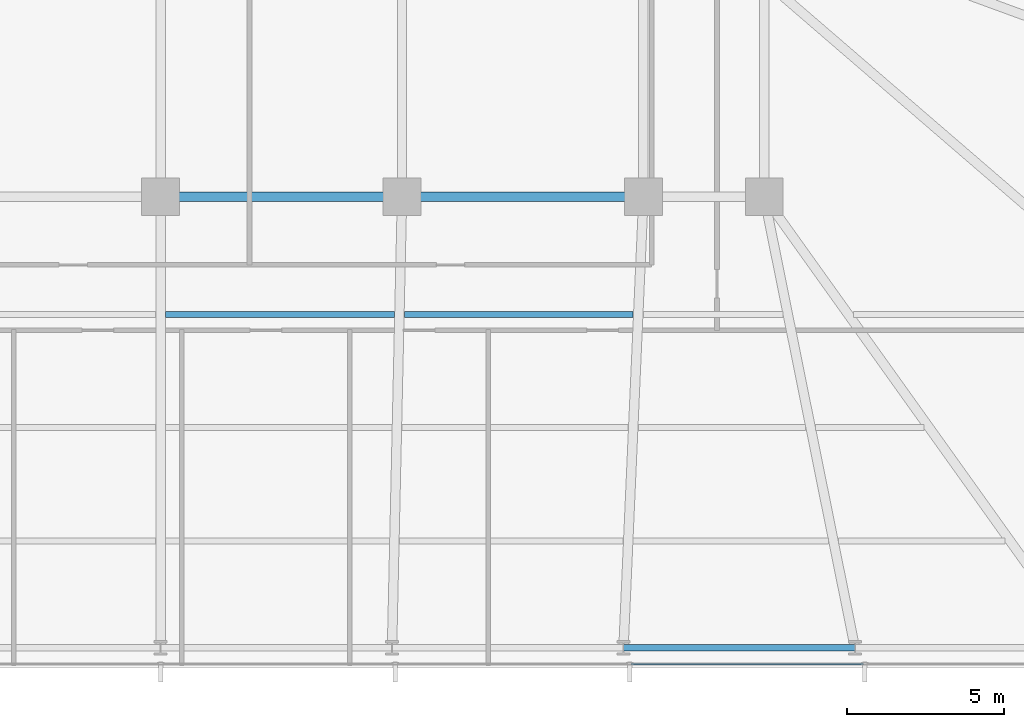
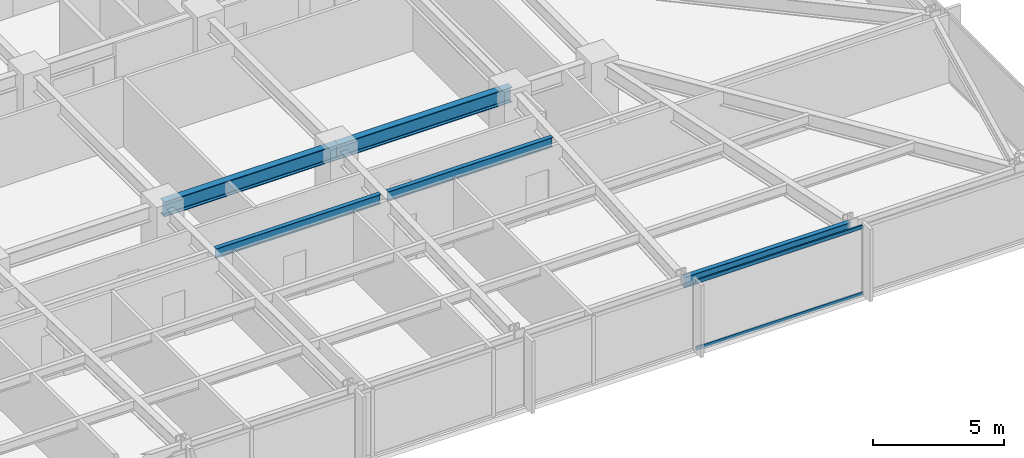
# One storey, part 13 of 32: 5 beams, 2 members, 1 element without a shape of its own.
"""IFC4 building model written with IfcOpenShell, lengths in metres."""

from ifc_helpers import new_model, si_unit, direction, frame, origin, origin_2d, place, context, subcontext, project, spatial, hollow_rectangle, i_section, extrude, material, material_profile, profile_set, type_object, element, aggregate, save


model = new_model("IFC4")

# Units and contexts
model_context = context("Model", 3, precision=1e-05, world=origin(), true_north=direction((0.0, 1.0)))
body_context = subcontext(model_context, "Body", "Model", "MODEL_VIEW")
ifc_project = project(units=[si_unit("LENGTHUNIT", "METRE"), si_unit("AREAUNIT", "SQUARE_METRE"), si_unit("VOLUMEUNIT", "CUBIC_METRE"), si_unit("PLANEANGLEUNIT", "RADIAN"), si_unit("MASSUNIT", "GRAM", prefix="KILO")], contexts=[model_context])

# Site, building, storey
site_placement = place(None, origin())
site = spatial("IfcSite", under=ifc_project, at=site_placement, CompositionType="ELEMENT")
building_placement = place(site_placement, origin())
building = spatial("IfcBuilding", under=site, at=building_placement, Name="Yelkora Congress Tower", CompositionType="ELEMENT")
storey_placement = place(building_placement, frame((0.0, 0.0, 44.0)))
storey = spatial("IfcBuildingStorey", under=building, at=storey_placement, Name="L10", CompositionType="ELEMENT", Elevation=44.0)

# Beams
ifc_material_1 = material(Name="Steel S355J2", Category="steel")
ifc_material_profile_1 = material_profile(ifc_material_1, i_section(OverallWidth=0.300048828125, OverallDepth=0.699951171875, WebThickness=0.01708984375, FlangeThickness=0.031982421875, FilletRadius=0.027099609375, at=origin_2d()), Name="HEB 700")
ifc_profile_set_1 = profile_set([ifc_material_profile_1], Name="Steel S355J2")
beam_type_1 = type_object("IfcBeamType", Name="BM-GIRD-HEB700", PredefinedType="BEAM", material=ifc_profile_set_1)
beam_1_placement = place(storey_placement, frame((38.39990234375, 25.199951171875, 2.830078125), z_axis=(1.0, 0.0, 0.0), x_axis=(0.0, 1.0, 0.0)))
element("IfcBeam", 1, at=beam_1_placement, inside=storey, type_object=beam_type_1, Name="L10 Spine Grid D Girder 4", PredefinedType="BEAM", context=body_context, shape_type="SweptSolid", body=[
    extrude(i_section(OverallWidth=0.300048828125, OverallDepth=0.699951171875, WebThickness=0.01708984375, FlangeThickness=0.031982421875, FilletRadius=0.027099609375, at=origin_2d()), origin(), (0.0, 0.0, 1.0), 7.68017578125),
])
beam_2_placement = place(storey_placement, frame((46.080078125, 25.199951171875, 2.830078125), z_axis=(1.0, 0.0, 0.0), x_axis=(0.0, 1.0, 0.0)))
element("IfcBeam", 2, at=beam_2_placement, inside=storey, type_object=beam_type_1, Name="L10 Spine Grid D Girder 5", PredefinedType="BEAM", context=body_context, shape_type="SweptSolid", body=[
    extrude(i_section(OverallWidth=0.300048828125, OverallDepth=0.699951171875, WebThickness=0.01708984375, FlangeThickness=0.031982421875, FilletRadius=0.027099609375, at=origin_2d()), origin(), (0.0, 0.0, 1.0), 7.679931640625),
])
ifc_material_profile_2 = material_profile(ifc_material_1, i_section(OverallWidth=0.18994140625, OverallDepth=0.449951171875, WebThickness=0.009521484375, FlangeThickness=0.0146484375, FilletRadius=0.02099609375, at=origin_2d()), Name="IPE 450")
ifc_profile_set_2 = profile_set([ifc_material_profile_2], Name="Steel S355J2")
beam_type_2 = type_object("IfcBeamType", Name="BM-JOIST-IPE450", PredefinedType="JOIST", material=ifc_profile_set_2)
beam_3_placement = place(storey_placement, frame((38.56005859375, 21.449951171875, 2.955078125), z_axis=(1.0, 0.0, 0.0), x_axis=(0.0, 1.0, 0.0)))
element("IfcBeam", 3, at=beam_3_placement, inside=storey, type_object=beam_type_2, Name="L10 Composite Floor Joist 20", PredefinedType="JOIST", context=body_context, shape_type="SweptSolid", body=[
    extrude(i_section(OverallWidth=0.18994140625, OverallDepth=0.449951171875, WebThickness=0.009521484375, FlangeThickness=0.0146484375, FilletRadius=0.02099609375, at=origin_2d()), origin(), (0.0, 0.0, 1.0), 7.27685546875),
])
beam_4_placement = place(storey_placement, frame((46.156982421875, 21.449951171875, 2.955078125), z_axis=(1.0, 0.0, 0.0), x_axis=(0.0, 1.0, 0.0)))
element("IfcBeam", 4, at=beam_4_placement, inside=storey, type_object=beam_type_2, Name="L10 Composite Floor Joist 21", PredefinedType="JOIST", context=body_context, shape_type="SweptSolid", body=[
    extrude(i_section(OverallWidth=0.18994140625, OverallDepth=0.449951171875, WebThickness=0.009521484375, FlangeThickness=0.0146484375, FilletRadius=0.02099609375, at=origin_2d()), origin(), (0.0, 0.0, 1.0), 7.277099609375),
])
ifc_material_profile_3 = material_profile(ifc_material_1, i_section(OverallWidth=0.199951171875, OverallDepth=0.5, WebThickness=0.01025390625, FlangeThickness=0.01611328125, FilletRadius=0.02099609375, at=origin_2d()), Name="IPE 500")
ifc_profile_set_3 = profile_set([ifc_material_profile_3], Name="Steel S355J2")
beam_type_3 = type_object("IfcBeamType", Name="BM-SPAN-IPE500", PredefinedType="SPANDREL", material=ifc_profile_set_3)
beam_5_placement = place(storey_placement, frame((53.125, 10.85009765625, 2.929931640625), z_axis=(1.0, 0.0, 0.0), x_axis=(0.0, 1.0, 0.0)))
element("IfcBeam", 5, at=beam_5_placement, inside=storey, type_object=beam_type_3, Name="L10 Perimeter Beam 8", PredefinedType="SPANDREL", context=body_context, shape_type="SweptSolid", body=[
    extrude(i_section(OverallWidth=0.199951171875, OverallDepth=0.5, WebThickness=0.01025390625, FlangeThickness=0.01611328125, FilletRadius=0.02099609375, at=origin_2d()), origin(), (0.0, 0.0, 1.0), 7.362548828125),
])

# Curtain wall, members
ifc_material_2 = material(Name="Anodised aluminium and insulated glass", Category="aluminium")
curtain_wall_type = type_object("IfcCurtainWallType", Name="CW-SYS-B1", PredefinedType="NOTDEFINED", material=ifc_material_2)
curtain_wall_placement = place(storey_placement, origin())
curtain_wall = element("IfcCurtainWall", 6, at=curtain_wall_placement, inside=storey, type_object=curtain_wall_type, Name="L10 Unitised Curtain Wall 20", PredefinedType="NOTDEFINED")
ifc_material_3 = material(Name="Anodised aluminium 6063-T6", Category="aluminium")
ifc_material_profile_4 = material_profile(ifc_material_3, hollow_rectangle(XDim=0.06494140625, YDim=0.159912109375, WallThickness=0.00390625, at=origin_2d()), Name="ALU 65x160x4")
ifc_profile_set_4 = profile_set([ifc_material_profile_4], Name="Anodised aluminium 6063-T6")
member_type = type_object("IfcMemberType", Name="MEM-TR-B1", PredefinedType="USERDEFINED", material=ifc_profile_set_4)
member_1_placement = place(storey_placement, frame((60.757568359375, 10.340087890625, 0.032470703125), z_axis=(-1.0, 0.0, 0.0), x_axis=(0.0, -1.0, 0.0)))
member_1 = element("IfcMember", 7, at=member_1_placement, type_object=member_type, Name="CW-B1 transom 2.1", ObjectType="TRANSOM", PredefinedType="USERDEFINED", context=body_context, shape_type="SweptSolid", body=[
    extrude(hollow_rectangle(XDim=0.06494140625, YDim=0.159912109375, WallThickness=0.00390625, at=origin_2d()), origin(), (0.0, 0.0, 1.0), 7.39013671875),
])
member_2_placement = place(storey_placement, frame((60.757568359375, 10.340087890625, 3.1474609375), z_axis=(-1.0, 0.0, 0.0), x_axis=(0.0, -1.0, 0.0)))
member_2 = element("IfcMember", 8, at=member_2_placement, type_object=member_type, Name="CW-B1 transom 2.2", ObjectType="TRANSOM", PredefinedType="USERDEFINED", context=body_context, shape_type="SweptSolid", body=[
    extrude(hollow_rectangle(XDim=0.06494140625, YDim=0.159912109375, WallThickness=0.00390625, at=origin_2d()), origin(), (0.0, 0.0, 1.0), 7.39013671875),
])
aggregate(curtain_wall, [member_1, member_2])

save(model, "model.ifc")
